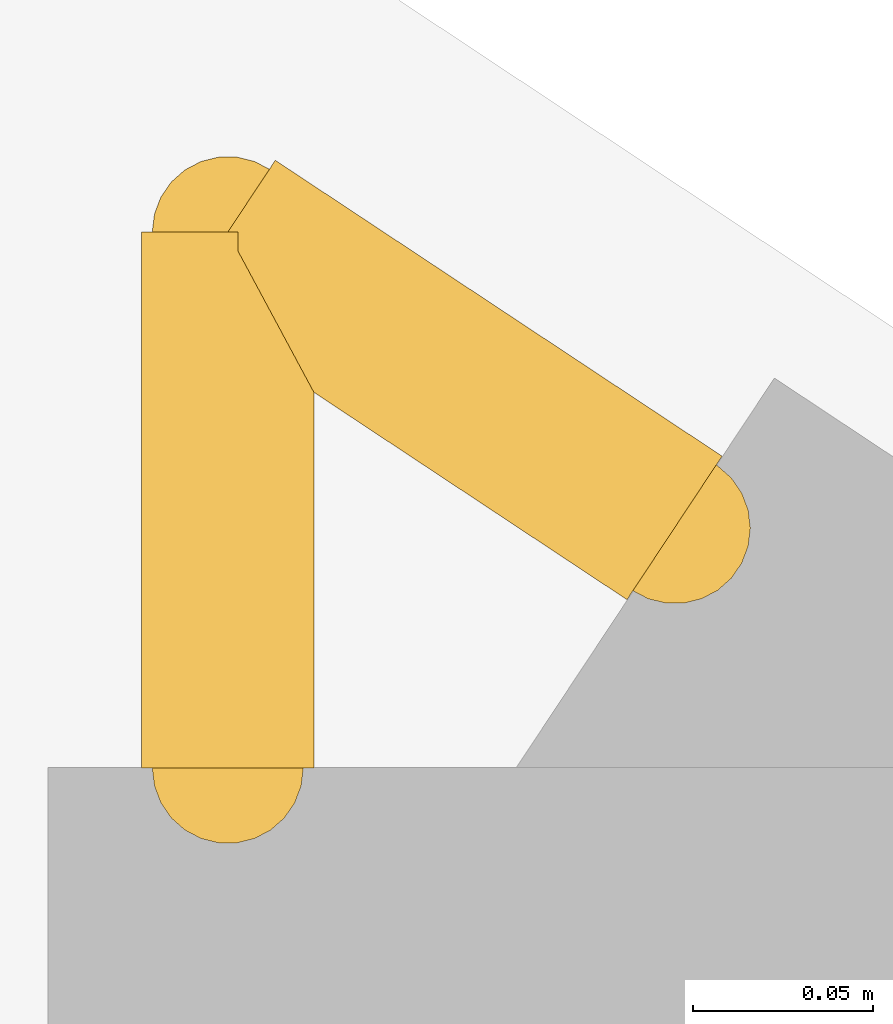
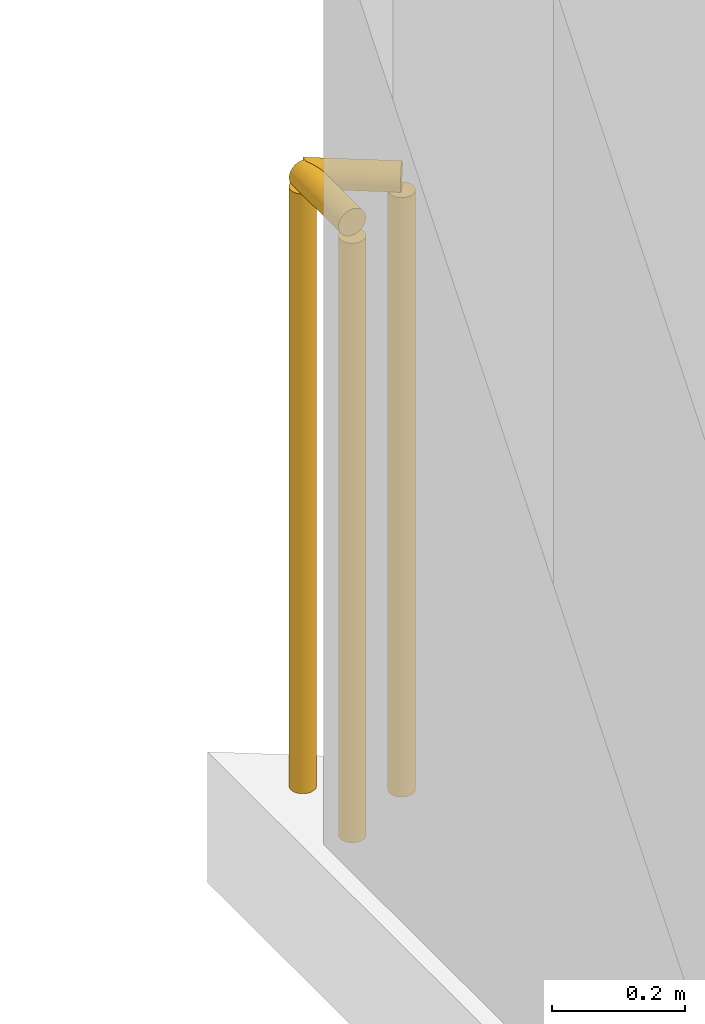
# One storey, part 15 of 16: 2 railings.
"""IFC4 building model written with IfcOpenShell, lengths in metres."""

from ifc_helpers import new_model, si_unit, direction, frame, origin, origin_2d, place, context, subcontext, project, spatial, circle, extrude, material, type_object, element, save


model = new_model("IFC4")

# Units and contexts
model_context = context("Model", 3, precision=1e-05, world=origin(), true_north=direction((0.0, 1.0)))
body_context = subcontext(model_context, "Body", "Model", "MODEL_VIEW")
ifc_project = project(units=[si_unit("LENGTHUNIT", "METRE"), si_unit("AREAUNIT", "SQUARE_METRE"), si_unit("VOLUMEUNIT", "CUBIC_METRE"), si_unit("PLANEANGLEUNIT", "RADIAN"), si_unit("MASSUNIT", "GRAM", prefix="KILO")], contexts=[model_context])

# Site, building, storey
site_placement = place(None, origin())
site = spatial("IfcSite", under=ifc_project, at=site_placement, CompositionType="ELEMENT")
building_placement = place(site_placement, origin())
building = spatial("IfcBuilding", under=site, at=building_placement, Name="Varnakote Quay Hospital", CompositionType="ELEMENT")
storey_placement = place(building_placement, frame((0.0, 0.0, 170.5)))
storey = spatial("IfcBuildingStorey", under=building, at=storey_placement, Name="L42", CompositionType="ELEMENT", Elevation=170.5)

# Railings
ifc_material = material(Name="Anodised aluminium 6063-T6 Bronze", Category="aluminium")
railing_type = type_object("IfcRailingType", Name="RLG-EXT-GUARD-1150", PredefinedType="GUARDRAIL", material=ifc_material)
railing_1_placement = place(storey_placement, frame((2.679931640625, 43.10205078125, 0.0)))
element("IfcRailing", 1, at=railing_1_placement, inside=storey, type_object=railing_type, Name="L42 Slab Edge Perimeter Safety Guard", PredefinedType="GUARDRAIL", context=body_context, shape_type="SweptSolid", body=[
    extrude(circle(Radius=0.02392578125, at=origin_2d()), frame((0.0, 0.0, 1.1259765625), z_axis=(0.0, 1.0, 0.0), x_axis=(-1.0, 0.0, 0.0)), (0.0, 0.0, 1.0), 0.14892578125),
    extrude(circle(Radius=0.02099609375, at=origin_2d()), origin(), (0.0, 0.0, 1.0), 1.101806640625),
    extrude(circle(Radius=0.02099609375, at=origin_2d()), frame((0.0, 0.14892578125, 0.0)), (0.0, 0.0, 1.0), 1.101806640625),
])
railing_2_placement = place(storey_placement, frame((2.679931640625, 43.2509765625, 0.0)))
element("IfcRailing", 2, at=railing_2_placement, inside=storey, type_object=railing_type, Name="L42 Slab Edge Perimeter Safety Guard", PredefinedType="GUARDRAIL", context=body_context, shape_type="SweptSolid", body=[
    extrude(circle(Radius=0.02392578125, at=origin_2d()), frame((0.0, 0.0, 1.1259765625), z_axis=(0.833810230731, -0.552051174374, 0.0), x_axis=(0.552051174374, 0.833810230731, 0.0)), (0.0, 0.0, 1.0), 0.14892578125),
    extrude(circle(Radius=0.02099609375, at=origin_2d()), origin(), (0.0, 0.0, 1.0), 1.101806640625),
    extrude(circle(Radius=0.02099609375, at=origin_2d()), frame((0.124267578125, -0.082275390625, 0.0)), (0.0, 0.0, 1.0), 1.101806640625),
])

save(model, "model.ifc")
